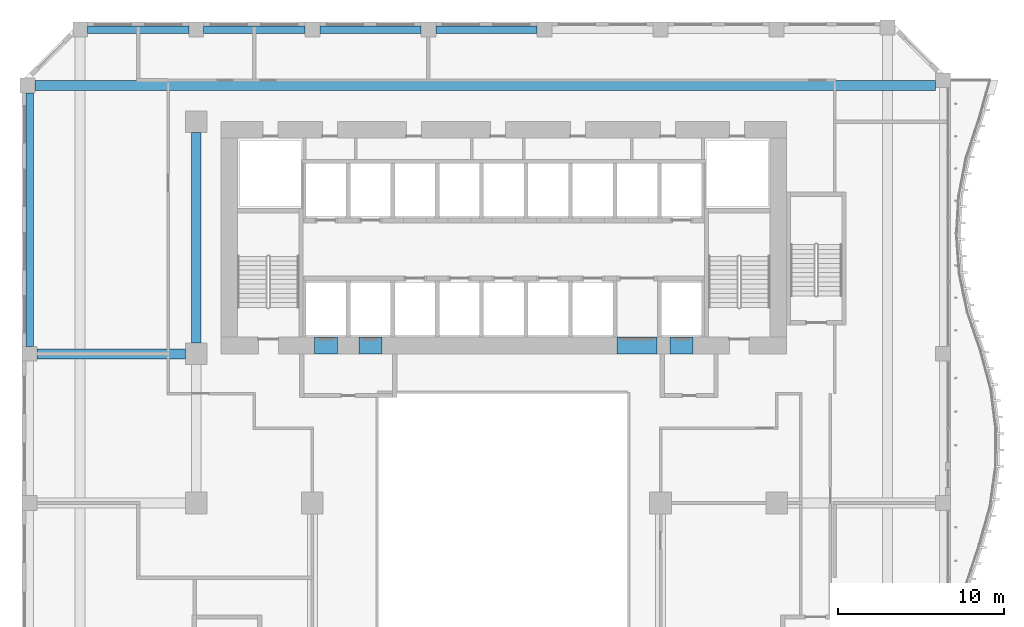
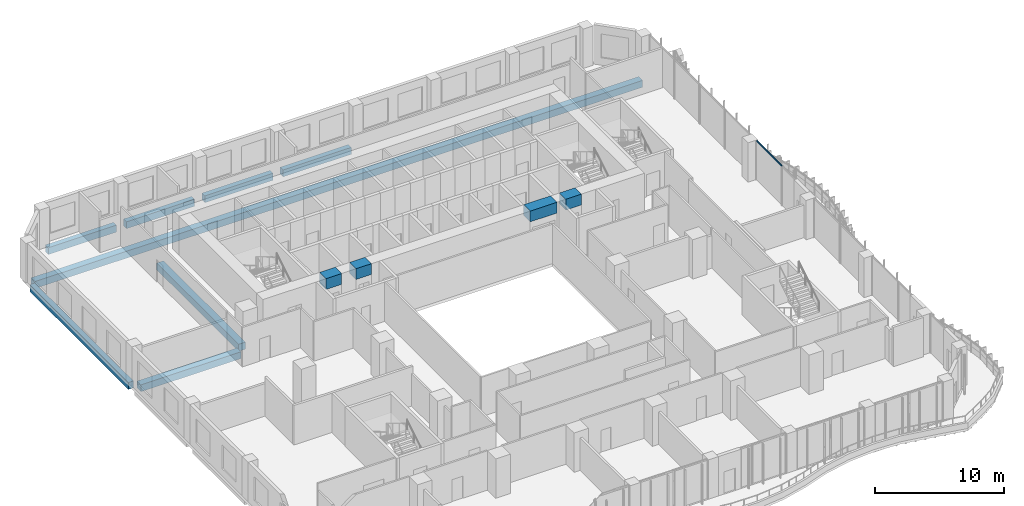
# One storey, part 9 of 27: 12 beams, 1 member, 1 element without a shape of its own.
"""IFC4 building model written with IfcOpenShell, lengths in metres."""

from ifc_helpers import new_model, si_unit, direction, frame, origin, origin_2d, place, context, subcontext, project, spatial, rectangle, extrude, source, transform, mapped, material, material_profile, profile_set, type_object, element, aggregate, save


model = new_model("IFC4")

# Units and contexts
model_context = context("Model", 3, precision=1e-05, world=origin(), true_north=direction((0.0, 1.0)))
body_context = subcontext(model_context, "Body", "Model", "MODEL_VIEW")
ifc_project = project(units=[si_unit("LENGTHUNIT", "METRE"), si_unit("AREAUNIT", "SQUARE_METRE"), si_unit("VOLUMEUNIT", "CUBIC_METRE"), si_unit("PLANEANGLEUNIT", "RADIAN"), si_unit("MASSUNIT", "GRAM", prefix="KILO")], contexts=[model_context])

# Site, building, storey
site_placement = place(None, origin())
site = spatial("IfcSite", under=ifc_project, at=site_placement, CompositionType="ELEMENT")
building_placement = place(site_placement, origin())
building = spatial("IfcBuilding", under=site, at=building_placement, Name="Kilnfold Tower and Market Hall", CompositionType="ELEMENT")
storey_placement = place(building_placement, frame((0.0, 0.0, 51.0)))
storey = spatial("IfcBuildingStorey", under=building, at=storey_placement, Name="L11", CompositionType="ELEMENT", Elevation=51.0)

# Beams
ifc_material_1 = material(Name="Concrete C45", Category="concrete")
ifc_material_profile_1 = material_profile(ifc_material_1, rectangle(XDim=0.449951171875, YDim=0.64990234375, at=origin_2d()), Name="RC 450x650")
ifc_profile_set_1 = profile_set([ifc_material_profile_1], Name="Concrete C45")
beam_type_1 = type_object("IfcBeamType", Name="EDGE BEAM 450X650 C45", PredefinedType="BEAM", material=ifc_profile_set_1)
shared_shape_1 = source(origin(), body_context, "Body", "SweptSolid", [
    extrude(rectangle(XDim=0.449951171875, YDim=0.64990234375, at=origin_2d()), origin(), (0.0, 0.0, 1.0), 6.10009765625),
])
for number, where, z_axis, x_axis, name in (
    (1, (-24.050048828125, 27.550048828125, -0.60498046875), (1.0, 0.0, 0.0), (0.0, 1.0, 0.0), "Beam EB650-B1.23"),
    (2, (-17.050048828125, 27.550048828125, -0.60498046875), (1.0, 0.0, 0.0), (0.0, 1.0, 0.0), "Beam EB650-B1.24"),
    (3, (-10.050048828125, 27.550048828125, -0.60498046875), (1.0, 0.0, 0.0), (0.0, 1.0, 0.0), "Beam EB650-B1.25"),
    (4, (-3.050048828125, 27.550048828125, -0.60498046875), (1.0, 0.0, 0.0), (0.0, 1.0, 0.0), "Beam EB650-B1.26"),
):
    element("IfcBeam", number, at=place(storey_placement, frame(where, z_axis=z_axis, x_axis=x_axis)), inside=storey, type_object=beam_type_1, Name=name, PredefinedType="BEAM", context=body_context, shape_type="MappedRepresentation", body=[
        mapped(shared_shape_1, transform((0.0, 0.0, 0.0))),
    ])
ifc_material_2 = material(Name="Concrete C45", Category="concrete")
ifc_material_profile_2 = material_profile(ifc_material_2, rectangle(XDim=0.60009765625, YDim=0.64990234375, at=origin_2d()), Name="RC 600x650")
ifc_profile_set_2 = profile_set([ifc_material_profile_2], Name="Concrete C45")
beam_type_2 = type_object("IfcBeamType", Name="BEAM 600X650 C45", PredefinedType="BEAM", material=ifc_profile_set_2)
shared_shape_2 = source(origin(), body_context, "Body", "SweptSolid", [
    extrude(rectangle(XDim=0.60009765625, YDim=0.64990234375, at=origin_2d()), origin(), (0.0, 0.0, 1.0), 8.9501953125),
])
beam_1_placement = place(storey_placement, frame((-27.10009765625, 8.0, -0.60498046875), z_axis=(1.0, 0.0, 0.0), x_axis=(0.0, 1.0, 0.0)))
element("IfcBeam", 5, at=beam_1_placement, inside=storey, type_object=beam_type_2, Name="Beam BB650-B1.21", PredefinedType="BEAM", context=body_context, shape_type="MappedRepresentation", body=[
    mapped(shared_shape_2, transform((0.0, 0.0, 0.0))),
])
shared_shape_3 = source(origin(), body_context, "Body", "SweptSolid", [
    extrude(rectangle(XDim=0.60009765625, YDim=0.64990234375, at=origin_2d()), origin(), (0.0, 0.0, 1.0), 54.331787109375),
])
beam_2_placement = place(storey_placement, frame((-27.231689453125, 24.179931640625, -0.60498046875), z_axis=(1.0, 0.0, 0.0), x_axis=(0.0, 1.0, 0.0)))
element("IfcBeam", 6, at=beam_2_placement, inside=storey, type_object=beam_type_2, Name="Beam BB650-B1.22", PredefinedType="BEAM", context=body_context, shape_type="MappedRepresentation", body=[
    mapped(shared_shape_3, transform((0.0, 0.0, 0.0))),
])
shared_shape_4 = source(origin(), body_context, "Body", "SweptSolid", [
    extrude(rectangle(XDim=0.449951171875, YDim=0.64990234375, at=origin_2d()), origin(), (0.0, 0.0, 1.0), 15.28173828125),
])
beam_3_placement = place(storey_placement, frame((-27.550048828125, 8.449951171875, -0.60498046875), z_axis=(0.0, 1.0, 0.0), x_axis=(-1.0, 0.0, 0.0)))
element("IfcBeam", 7, at=beam_3_placement, inside=storey, type_object=beam_type_1, Name="Beam EB650-B1.34", PredefinedType="BEAM", context=body_context, shape_type="MappedRepresentation", body=[
    mapped(shared_shape_4, transform((0.0, 0.0, 0.0))),
])
shared_shape_5 = source(origin(), body_context, "Body", "SweptSolid", [
    extrude(rectangle(XDim=0.60009765625, YDim=0.64990234375, at=origin_2d()), origin(), (0.0, 0.0, 1.0), 12.7001953125),
])
beam_4_placement = place(storey_placement, frame((-17.5, 8.64990234375, -0.60498046875), z_axis=(0.0, 1.0, 0.0), x_axis=(-1.0, 0.0, 0.0)))
element("IfcBeam", 8, at=beam_4_placement, inside=storey, type_object=beam_type_2, Name="Beam BB650-B1.38", PredefinedType="BEAM", context=body_context, shape_type="MappedRepresentation", body=[
    mapped(shared_shape_5, transform((0.0, 0.0, 0.0))),
])
ifc_material_3 = material(Name="Concrete C80", Category="concrete")
ifc_material_profile_3 = material_profile(ifc_material_3, rectangle(XDim=1.0, YDim=1.02001953125, at=origin_2d()), Name="RC 1000x1020")
ifc_profile_set_3 = profile_set([ifc_material_profile_3], Name="Concrete C80")
beam_type_3 = type_object("IfcBeamType", Name="COUPLING BEAM 1000X1020 C80", PredefinedType="BEAM", material=ifc_profile_set_3)
shared_shape_6 = source(origin(), body_context, "Body", "SweptSolid", [
    extrude(rectangle(XDim=1.0, YDim=1.02001953125, at=origin_2d()), origin(), (0.0, 0.0, 1.0), 1.400146484375),
])
beam_5_placement = place(storey_placement, frame((-10.3701171875, 8.5, 3.2099609375), z_axis=(1.0, 0.0, 0.0), x_axis=(0.0, 1.0, 0.0)))
element("IfcBeam", 9, at=beam_5_placement, inside=storey, type_object=beam_type_3, Name="Coupling beam CB1020-80-CORE.42", PredefinedType="BEAM", context=body_context, shape_type="MappedRepresentation", body=[
    mapped(shared_shape_6, transform((0.0, 0.0, 0.0))),
])
shared_shape_7 = source(origin(), body_context, "Body", "SweptSolid", [
    extrude(rectangle(XDim=1.0, YDim=1.02001953125, at=origin_2d()), origin(), (0.0, 0.0, 1.0), 1.39990234375),
])
for number, where, z_axis, x_axis, name in (
    (10, (-7.68994140625, 8.5, 3.2099609375), (1.0, 0.0, 0.0), (0.0, 1.0, 0.0), "Coupling beam CB1020-80-CORE.43"),
    (11, (11.070068359375, 8.5, 3.2099609375), (1.0, 0.0, 0.0), (0.0, 1.0, 0.0), "Coupling beam CB1020-80-CORE.45"),
):
    element("IfcBeam", number, at=place(storey_placement, frame(where, z_axis=z_axis, x_axis=x_axis)), inside=storey, type_object=beam_type_3, Name=name, PredefinedType="BEAM", context=body_context, shape_type="MappedRepresentation", body=[
        mapped(shared_shape_7, transform((0.0, 0.0, 0.0))),
    ])
shared_shape_8 = source(origin(), body_context, "Body", "SweptSolid", [
    extrude(rectangle(XDim=1.0, YDim=1.02001953125, at=origin_2d()), origin(), (0.0, 0.0, 1.0), 2.400146484375),
])
beam_6_placement = place(storey_placement, frame((7.889892578125, 8.5, 3.2099609375), z_axis=(1.0, 0.0, 0.0), x_axis=(0.0, 1.0, 0.0)))
element("IfcBeam", 12, at=beam_6_placement, inside=storey, type_object=beam_type_3, Name="Coupling beam CB1020-80-CORE.44", PredefinedType="BEAM", context=body_context, shape_type="MappedRepresentation", body=[
    mapped(shared_shape_8, transform((0.0, 0.0, 0.0))),
])

# Curtain wall, member
ifc_material_4 = material(Name="Aluminium and double glazing", Category="aluminium")
curtain_wall_type = type_object("IfcCurtainWallType", Name="CW OF1 VALLEY GLAZING", PredefinedType="NOTDEFINED", material=ifc_material_4)
curtain_wall_placement = place(storey_placement, origin())
curtain_wall = element("IfcCurtainWall", 13, at=curtain_wall_placement, inside=storey, type_object=curtain_wall_type, Name="Curtain wall CW1 L11 E", PredefinedType="NOTDEFINED")
ifc_material_5 = material(Name="Aluminium", Category="aluminium")
ifc_material_profile_4 = material_profile(ifc_material_5, rectangle(XDim=0.06005859375, YDim=0.139892578125, at=origin_2d()), Name="TRANSOM 60x140")
ifc_profile_set_4 = profile_set([ifc_material_profile_4], Name="Aluminium")
member_type = type_object("IfcMemberType", Name="TRANSOM 60X140", PredefinedType="USERDEFINED", material=ifc_profile_set_4)
shared_shape_9 = source(origin(), body_context, "Body", "SweptSolid", [
    extrude(rectangle(XDim=0.06005859375, YDim=0.139892578125, at=origin_2d()), origin(), (0.0, 0.0, 1.0), 3.929931640625),
])
member_placement = place(storey_placement, frame((27.85009765625, 3.56005859375, 3.68994140625), z_axis=(0.0, 1.0, 0.0), x_axis=(-1.0, 0.0, 0.0)))
member = element("IfcMember", 14, at=member_placement, type_object=member_type, Name="CW1 transom 1.2", ObjectType="TRANSOM", PredefinedType="USERDEFINED", context=body_context, shape_type="MappedRepresentation", body=[
    mapped(shared_shape_9, transform((0.0, 0.0, 0.0))),
])
aggregate(curtain_wall, [member])

save(model, "model.ifc")
